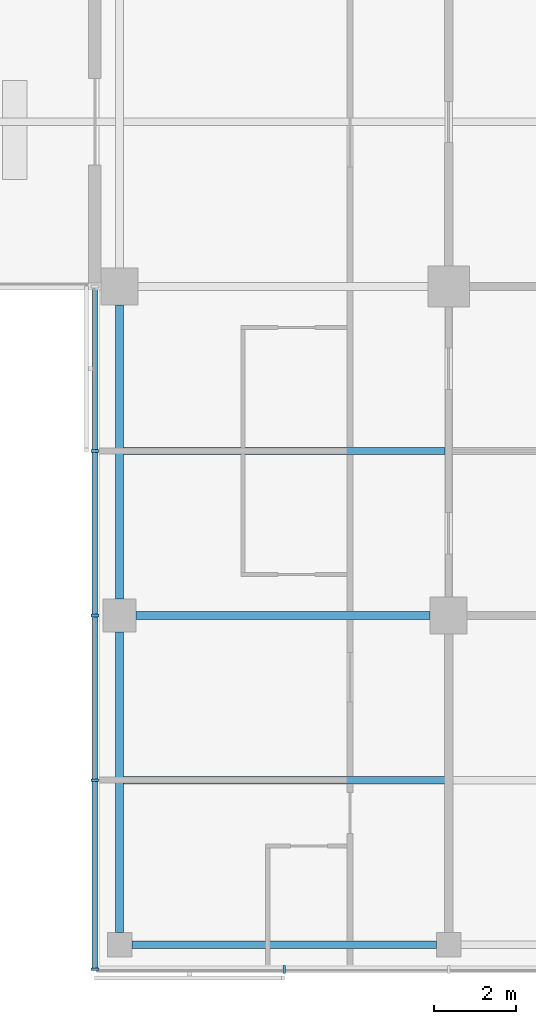
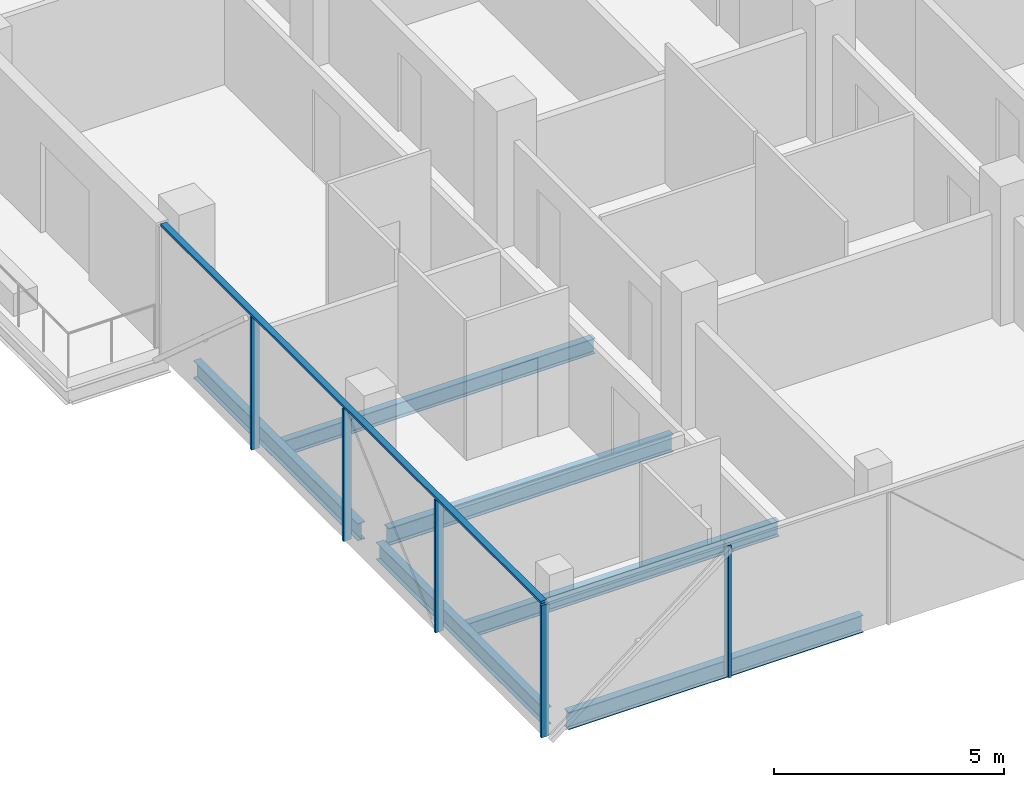
# One storey, part 2 of 27: 6 beams, 6 members, 2 elements without a shape of their own.
"""IFC4 building model written with IfcOpenShell, lengths in metres."""

from ifc_helpers import new_model, si_unit, direction, frame, origin, origin_2d, place, context, subcontext, project, spatial, rectangle, i_section, extrude, material, material_profile, profile_set, type_object, element, aggregate, save


model = new_model("IFC4")

# Units and contexts
model_context = context("Model", 3, precision=1e-05, world=origin(), true_north=direction((0.0, 1.0)))
body_context = subcontext(model_context, "Body", "Model", "MODEL_VIEW")
ifc_project = project(units=[si_unit("LENGTHUNIT", "METRE"), si_unit("AREAUNIT", "SQUARE_METRE"), si_unit("VOLUMEUNIT", "CUBIC_METRE"), si_unit("PLANEANGLEUNIT", "RADIAN"), si_unit("MASSUNIT", "GRAM", prefix="KILO")], contexts=[model_context])

# Site, building, storey
site_placement = place(None, origin())
site = spatial("IfcSite", under=ifc_project, at=site_placement, CompositionType="ELEMENT")
building_placement = place(site_placement, origin())
building = spatial("IfcBuilding", under=site, at=building_placement, Name="Crosswind Convention Tower", CompositionType="ELEMENT")
storey_placement = place(building_placement, frame((0.0, 0.0, 101.60009765625)))
storey = spatial("IfcBuildingStorey", under=building, at=storey_placement, Name="L20", CompositionType="ELEMENT", Elevation=101.60009765625)

# Beams
ifc_material_1 = material(Name="Steel S355", Category="steel")
ifc_material_profile_1 = material_profile(ifc_material_1, i_section(OverallWidth=0.1904296875, OverallDepth=0.457275390625, WebThickness=0.009033203125, FlangeThickness=0.014404296875, FilletRadius=0.01025390625, at=origin_2d()), Name="UB 457x191x75")
ifc_profile_set_1 = profile_set([ifc_material_profile_1], Name="Steel S355")
beam_type_1 = type_object("IfcBeamType", Name="Edge beam UB 457x191x75", PredefinedType="SPANDREL", material=ifc_profile_set_1)
beam_1_placement = place(storey_placement, frame((113.0, 64.300048828125, -0.5087890625), z_axis=(0.0, 1.0, 0.0), x_axis=(-1.0, 0.0, 0.0)))
element("IfcBeam", 1, at=beam_1_placement, inside=storey, type_object=beam_type_1, Name="B17 L20 edge beam 6", PredefinedType="SPANDREL", context=body_context, shape_type="SweptSolid", body=[
    extrude(i_section(OverallWidth=0.1904296875, OverallDepth=0.457275390625, WebThickness=0.009033203125, FlangeThickness=0.014404296875, FilletRadius=0.01025390625, at=origin_2d()), origin(), (0.0, 0.0, 1.0), 7.300048828125),
])
beam_2_placement = place(storey_placement, frame((113.0, 72.39990234375, -0.5087890625), z_axis=(0.0, 1.0, 0.0), x_axis=(-1.0, 0.0, 0.0)))
element("IfcBeam", 2, at=beam_2_placement, inside=storey, type_object=beam_type_1, Name="B17 L20 edge beam 7", PredefinedType="SPANDREL", context=body_context, shape_type="SweptSolid", body=[
    extrude(i_section(OverallWidth=0.1904296875, OverallDepth=0.457275390625, WebThickness=0.009033203125, FlangeThickness=0.014404296875, FilletRadius=0.01025390625, at=origin_2d()), origin(), (0.0, 0.0, 1.0), 7.150146484375),
])
beam_3_placement = place(storey_placement, frame((113.300048828125, 64.0, -0.5087890625), z_axis=(1.0, 0.0, 0.0), x_axis=(0.0, 1.0, 0.0)))
element("IfcBeam", 3, at=beam_3_placement, inside=storey, type_object=beam_type_1, Name="B17 L20 edge beam 12", PredefinedType="SPANDREL", context=body_context, shape_type="SweptSolid", body=[
    extrude(i_section(OverallWidth=0.1904296875, OverallDepth=0.457275390625, WebThickness=0.009033203125, FlangeThickness=0.014404296875, FilletRadius=0.01025390625, at=origin_2d()), origin(), (0.0, 0.0, 1.0), 7.39990234375),
])
ifc_material_profile_2 = material_profile(ifc_material_1, i_section(OverallWidth=0.19140625, OverallDepth=0.460205078125, WebThickness=0.010009765625, FlangeThickness=0.01611328125, FilletRadius=0.01025390625, at=origin_2d()), Name="UB 457x191x82")
ifc_profile_set_2 = profile_set([ifc_material_profile_2], Name="Steel S355")
beam_type_2 = type_object("IfcBeamType", Name="Girder UB 457x191x82", PredefinedType="BEAM", material=ifc_profile_set_2)
beam_4_placement = place(storey_placement, frame((113.39990234375, 72.0, -0.51025390625), z_axis=(1.0, 0.0, 0.0), x_axis=(0.0, 1.0, 0.0)))
element("IfcBeam", 4, at=beam_4_placement, inside=storey, type_object=beam_type_2, Name="B3 L20 girder 1", PredefinedType="BEAM", context=body_context, shape_type="SweptSolid", body=[
    extrude(i_section(OverallWidth=0.19140625, OverallDepth=0.460205078125, WebThickness=0.010009765625, FlangeThickness=0.01611328125, FilletRadius=0.01025390625, at=origin_2d()), origin(), (0.0, 0.0, 1.0), 7.150146484375),
])

# Curtain wall, members
ifc_material_2 = material(Name="Aluminium unitised curtain wall", Category="aluminium")
curtain_wall_type = type_object("IfcCurtainWallType", Name="HOTEL UNITISED WALL 200", PredefinedType="USERDEFINED", material=ifc_material_2)
curtain_wall_1_placement = place(storey_placement, origin())
curtain_wall_1 = element("IfcCurtainWall", 5, at=curtain_wall_1_placement, inside=storey, type_object=curtain_wall_type, Name="CW2 L20 S-W 1", ObjectType="UNITISED", PredefinedType="USERDEFINED")
ifc_material_3 = material(Name="Aluminium mullion", Category="aluminium")
ifc_material_profile_3 = material_profile(ifc_material_3, rectangle(XDim=0.199951171875, YDim=0.06494140625, at=origin_2d()), Name="AL 200X65")
ifc_profile_set_3 = profile_set([ifc_material_profile_3], Name="Aluminium mullion")
member_type_1 = type_object("IfcMemberType", Name="MULLION 65X200", PredefinedType="MULLION", material=ifc_profile_set_3)
member_1_placement = place(storey_placement, frame((112.39990234375, 76.0, -0.280029296875), z_axis=(0.0, 0.0, 1.0), x_axis=(-1.0, 0.0, 0.0)))
member_1 = element("IfcMember", 6, at=member_1_placement, type_object=member_type_1, Name="CW2 mullion 2", PredefinedType="MULLION", context=body_context, shape_type="SweptSolid", body=[
    extrude(rectangle(XDim=0.199951171875, YDim=0.06494140625, at=origin_2d()), origin(), (0.0, 0.0, 1.0), 3.514892578125),
])
member_2_placement = place(storey_placement, frame((112.39990234375, 72.0, -0.280029296875), z_axis=(0.0, 0.0, 1.0), x_axis=(-1.0, 0.0, 0.0)))
member_2 = element("IfcMember", 7, at=member_2_placement, type_object=member_type_1, Name="CW2 mullion 3", PredefinedType="MULLION", context=body_context, shape_type="SweptSolid", body=[
    extrude(rectangle(XDim=0.199951171875, YDim=0.06494140625, at=origin_2d()), origin(), (0.0, 0.0, 1.0), 3.514892578125),
])
member_3_placement = place(storey_placement, frame((112.39990234375, 68.0, -0.280029296875), z_axis=(0.0, 0.0, 1.0), x_axis=(-1.0, 0.0, 0.0)))
member_3 = element("IfcMember", 8, at=member_3_placement, type_object=member_type_1, Name="CW2 mullion 4", PredefinedType="MULLION", context=body_context, shape_type="SweptSolid", body=[
    extrude(rectangle(XDim=0.199951171875, YDim=0.06494140625, at=origin_2d()), origin(), (0.0, 0.0, 1.0), 3.514892578125),
])
member_4_placement = place(storey_placement, frame((112.39990234375, 63.39990234375, -0.280029296875), z_axis=(0.0, 0.0, 1.0), x_axis=(-1.0, 0.0, 0.0)))
member_4 = element("IfcMember", 9, at=member_4_placement, type_object=member_type_1, Name="CW2 mullion 5", PredefinedType="MULLION", context=body_context, shape_type="SweptSolid", body=[
    extrude(rectangle(XDim=0.199951171875, YDim=0.06494140625, at=origin_2d()), origin(), (0.0, 0.0, 1.0), 3.514892578125),
])

# Curtain wall, member
curtain_wall_2_placement = place(storey_placement, origin())
curtain_wall_2 = element("IfcCurtainWall", 10, at=curtain_wall_2_placement, inside=storey, type_object=curtain_wall_type, Name="CW2 L20 S-TIP 1", ObjectType="UNITISED", PredefinedType="USERDEFINED")
member_5_placement = place(storey_placement, frame((117.0, 63.39990234375, -0.280029296875), z_axis=(0.0, 0.0, 1.0), x_axis=(0.0, -1.0, 0.0)))
member_5 = element("IfcMember", 11, at=member_5_placement, type_object=member_type_1, Name="CW2 mullion 2", PredefinedType="MULLION", context=body_context, shape_type="SweptSolid", body=[
    extrude(rectangle(XDim=0.199951171875, YDim=0.06494140625, at=origin_2d()), origin(), (0.0, 0.0, 1.0), 3.514892578125),
])
aggregate(curtain_wall_2, [member_5])

# Beams
ifc_material_profile_4 = material_profile(ifc_material_1, i_section(OverallWidth=0.177734375, OverallDepth=0.406494140625, WebThickness=0.0078125, FlangeThickness=0.0126953125, FilletRadius=0.01025390625, at=origin_2d()), Name="UB 406x178x60")
ifc_profile_set_4 = profile_set([ifc_material_profile_4], Name="Steel S355")
beam_type_3 = type_object("IfcBeamType", Name="Secondary beam UB 406x178x60", PredefinedType="JOIST", material=ifc_profile_set_4)
for number, where, z_axis, x_axis, name in (
    (12, (113.09521484375, 68.0, -0.4833984375), (1.0, 0.0, 0.0), (0.0, 1.0, 0.0), "B10 L20 secondary beam 7"),
    (13, (113.09521484375, 76.0, -0.4833984375), (1.0, 0.0, 0.0), (0.0, 1.0, 0.0), "B10 L20 secondary beam 8"),
):
    element("IfcBeam", number, at=place(storey_placement, frame(where, z_axis=z_axis, x_axis=x_axis)), inside=storey, type_object=beam_type_3, Name=name, PredefinedType="JOIST", context=body_context, shape_type="SweptSolid", body=[
        extrude(i_section(OverallWidth=0.177734375, OverallDepth=0.406494140625, WebThickness=0.0078125, FlangeThickness=0.0126953125, FilletRadius=0.01025390625, at=origin_2d()), origin(), (0.0, 0.0, 1.0), 7.80908203125),
    ])

# Member
ifc_material_4 = material(Name="Aluminium transom", Category="aluminium")
ifc_material_profile_5 = material_profile(ifc_material_4, rectangle(XDim=0.14990234375, YDim=0.06494140625, at=origin_2d()), Name="AL 150X65")
ifc_profile_set_5 = profile_set([ifc_material_profile_5], Name="Aluminium transom")
member_type_2 = type_object("IfcMemberType", Name="TRANSOM 65X150", PredefinedType="USERDEFINED", material=ifc_profile_set_5)
member_6_placement = place(storey_placement, frame((112.39990234375, 79.967529296875, 3.267333984375), z_axis=(0.0, -1.0, 0.0), x_axis=(1.0, 0.0, 0.0)))
member_6 = element("IfcMember", 14, at=member_6_placement, type_object=member_type_2, Name="CW2 transom", ObjectType="TRANSOM", PredefinedType="USERDEFINED", context=body_context, shape_type="SweptSolid", body=[
    extrude(rectangle(XDim=0.14990234375, YDim=0.06494140625, at=origin_2d()), origin(), (0.0, 0.0, 1.0), 16.534912109375),
])

aggregate(curtain_wall_1, [member_1, member_2, member_3, member_4, member_6])

save(model, "model.ifc")
